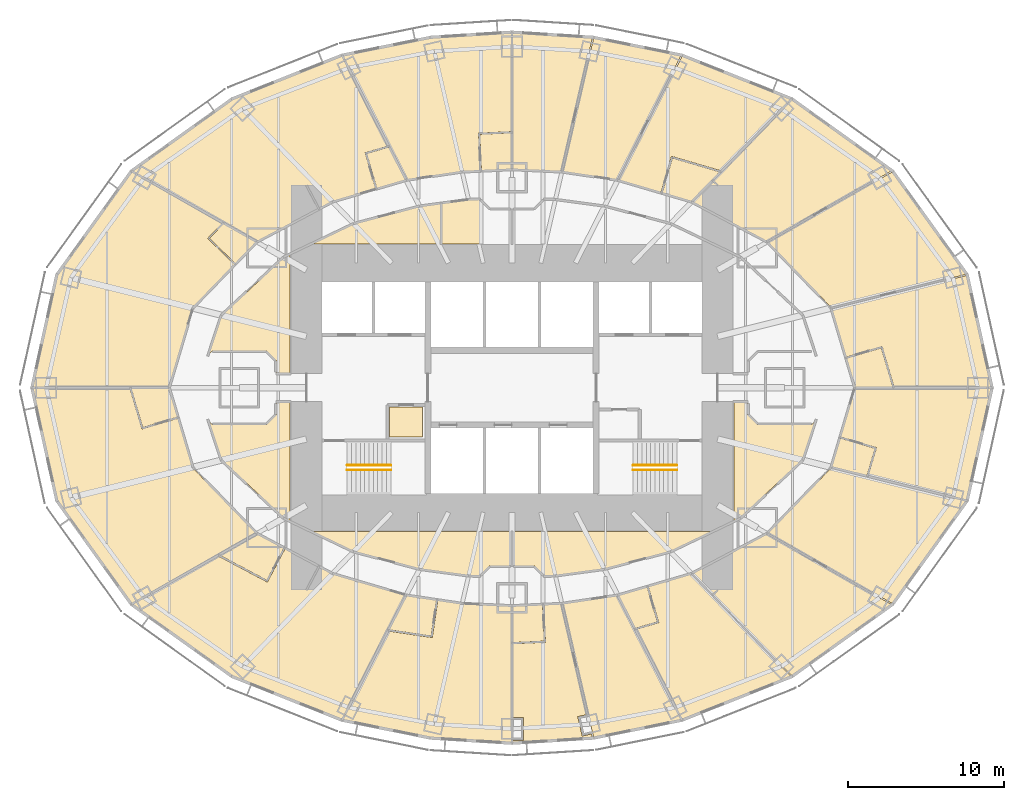
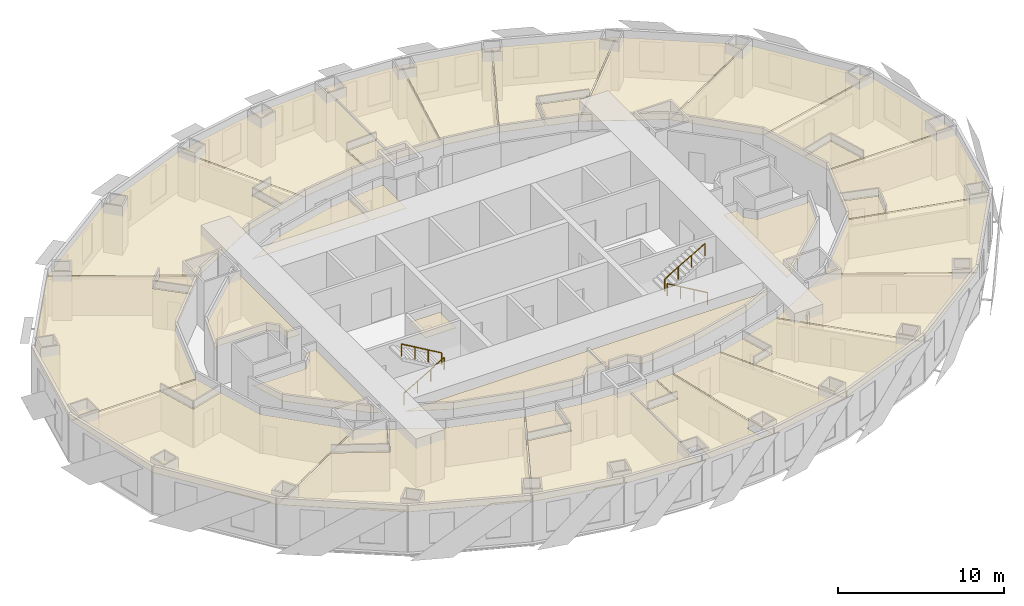
# One storey, part 15 of 15: 37 coverings, 4 railings.
"""IFC4 building model written with IfcOpenShell, lengths in metres."""

from ifc_helpers import new_model, si_unit, direction, frame, origin, origin_2d, place, context, subcontext, project, spatial, polyline, circle, outline, extrude, material, layer, layer_set, type_object, element, save


model = new_model("IFC4")

# Units and contexts
model_context = context("Model", 3, precision=1e-05, world=origin(), true_north=direction((0.0, 1.0)))
body_context = subcontext(model_context, "Body", "Model", "MODEL_VIEW")
ifc_project = project(units=[si_unit("LENGTHUNIT", "METRE"), si_unit("AREAUNIT", "SQUARE_METRE"), si_unit("VOLUMEUNIT", "CUBIC_METRE"), si_unit("PLANEANGLEUNIT", "RADIAN"), si_unit("MASSUNIT", "GRAM", prefix="KILO")], contexts=[model_context])

# Site, building, storey
site_placement = place(None, origin())
site = spatial("IfcSite", under=ifc_project, at=site_placement, CompositionType="ELEMENT")
building_placement = place(site_placement, origin())
building = spatial("IfcBuilding", under=site, at=building_placement, Name="Lantaw Convention Tower", CompositionType="ELEMENT")
storey_placement = place(building_placement, frame((0.0, 0.0, 73.0)))
storey = spatial("IfcBuildingStorey", under=building, at=storey_placement, Name="L16", CompositionType="ELEMENT", Elevation=73.0)

# Railings
ifc_material_1 = material(Name="Stainless steel", Category="steel")
railing_type = type_object("IfcRailingType", Name="Stair handrail", PredefinedType="HANDRAIL", material=ifc_material_1)
railing_1_placement = place(storey_placement, frame((-10.580078125, -5.280029296875, 0.16357421875)))
element("IfcRailing", 1, at=railing_1_placement, inside=storey, type_object=railing_type, Name="Stair handrail S1", PredefinedType="HANDRAIL", context=body_context, shape_type="SweptSolid", body=[
    extrude(circle(Radius=0.02392578125, at=origin_2d()), frame((0.0, 0.0, 0.8759765625), z_axis=(0.863360870873, 0.0, 0.504586966384), x_axis=(0.0, 1.0, 0.0)), (0.0, 0.0, 1.0), 3.2431640625),
    extrude(circle(Radius=0.02099609375, at=origin_2d()), origin(), (0.0, 0.0, 1.0), 0.851806640625),
    extrude(circle(Radius=0.02099609375, at=origin_2d()), frame((0.933349609375, 0.0, 0.54541015625)), (0.0, 0.0, 1.0), 0.851806640625),
    extrude(circle(Radius=0.02099609375, at=origin_2d()), frame((1.86669921875, 0.0, 1.091064453125)), (0.0, 0.0, 1.0), 0.851806640625),
    extrude(circle(Radius=0.02099609375, at=origin_2d()), frame((2.800048828125, 0.0, 1.636474609375)), (0.0, 0.0, 1.0), 0.851806640625),
])
for number, where, name in (
    (2, (-7.780029296875, -4.97998046875, 1.963623046875), "Stair handrail S1"),
    (3, (10.580078125, -5.280029296875, 0.16357421875), "Stair handrail S2"),
):
    element("IfcRailing", number, at=place(storey_placement, frame(where)), inside=storey, type_object=railing_type, Name=name, PredefinedType="HANDRAIL", context=body_context, shape_type="SweptSolid", body=[
        extrude(circle(Radius=0.02392578125, at=origin_2d()), frame((0.0, 0.0, 0.8759765625), z_axis=(-0.863360870873, 0.0, 0.504586966384), x_axis=(0.0, -1.0, 0.0)), (0.0, 0.0, 1.0), 3.2431640625),
        extrude(circle(Radius=0.02099609375, at=origin_2d()), origin(), (0.0, 0.0, 1.0), 0.851806640625),
        extrude(circle(Radius=0.02099609375, at=origin_2d()), frame((-0.933349609375, 0.0, 0.54541015625)), (0.0, 0.0, 1.0), 0.851806640625),
        extrude(circle(Radius=0.02099609375, at=origin_2d()), frame((-1.86669921875, 0.0, 1.091064453125)), (0.0, 0.0, 1.0), 0.851806640625),
        extrude(circle(Radius=0.02099609375, at=origin_2d()), frame((-2.800048828125, 0.0, 1.636474609375)), (0.0, 0.0, 1.0), 0.851806640625),
    ])
railing_2_placement = place(storey_placement, frame((7.780029296875, -4.97998046875, 1.963623046875)))
element("IfcRailing", 4, at=railing_2_placement, inside=storey, type_object=railing_type, Name="Stair handrail S2", PredefinedType="HANDRAIL", context=body_context, shape_type="SweptSolid", body=[
    extrude(circle(Radius=0.02392578125, at=origin_2d()), frame((0.0, 0.0, 0.8759765625), z_axis=(0.863360870873, 0.0, 0.504586966384), x_axis=(0.0, 1.0, 0.0)), (0.0, 0.0, 1.0), 3.2431640625),
    extrude(circle(Radius=0.02099609375, at=origin_2d()), origin(), (0.0, 0.0, 1.0), 0.851806640625),
    extrude(circle(Radius=0.02099609375, at=origin_2d()), frame((0.933349609375, 0.0, 0.54541015625)), (0.0, 0.0, 1.0), 0.851806640625),
    extrude(circle(Radius=0.02099609375, at=origin_2d()), frame((1.86669921875, 0.0, 1.091064453125)), (0.0, 0.0, 1.0), 0.851806640625),
    extrude(circle(Radius=0.02099609375, at=origin_2d()), frame((2.800048828125, 0.0, 1.636474609375)), (0.0, 0.0, 1.0), 0.851806640625),
])

# Coverings
ifc_material_2 = material(Name="Gypsum board on steel suspension grid", Category="steel")
ifc_layer = layer(ifc_material_2, 0.02001953125)
ifc_layer_set = layer_set([ifc_layer], Name="Suspended ceiling")
covering_type = type_object("IfcCoveringType", Name="Suspended ceiling", PredefinedType="CEILING", material=ifc_layer_set)
covering_1_placement = place(storey_placement, frame((0.0, 0.0, 2.85009765625)))
element("IfcCovering", 5, at=covering_1_placement, inside=storey, type_object=covering_type, Name="Housekeeping pantry ceiling", PredefinedType="CEILING", context=body_context, shape_type="SweptSolid", body=[
    extrude(outline(polyline([(-7.860107421875, -3.159912109375), (-5.739990234375, -3.159912109375), (-5.739990234375, -1.239990234375), (-7.860107421875, -1.239990234375), (-7.860107421875, -3.159912109375)])), origin(), (0.0, 0.0, 1.0), 0.02001953125),
])
covering_2_placement = place(storey_placement, frame((0.0, 0.0, 2.85009765625)))
element("IfcCovering", 6, at=covering_2_placement, inside=storey, type_object=covering_type, Name="Housekeeping room ceiling", PredefinedType="CEILING", context=body_context, shape_type="SweptSolid", body=[
    extrude(outline(polyline([(-14.239990234375, 8.5478515625), (-14.650390625, 8.351318359375), (-18.63671875, 4.633056640625), (-19.449951171875, 2.15625), (-19.2412109375, 2.364990234375), (-15.7587890625, 2.364990234375), (-15.135009765625, 1.7412109375), (-15.135009765625, 0.93994140625), (-14.239990234375, 0.93994140625), (-14.239990234375, 8.5478515625)])), origin(), (0.0, 0.0, 1.0), 0.02001953125),
])
covering_3_placement = place(storey_placement, frame((0.0, 0.0, 2.85009765625)))
element("IfcCovering", 7, at=covering_3_placement, inside=storey, type_object=covering_type, Name="Accessible WC ceiling", PredefinedType="CEILING", context=body_context, shape_type="SweptSolid", body=[
    extrude(outline(polyline([(-2.06494140625, 12.073486328125), (-2.7861328125, 12.043212890625), (-4.510009765625, 11.81201171875), (-4.510009765625, 9.239990234375), (-2.014892578125, 9.239990234375), (-2.014892578125, 12.0087890625), (-2.06494140625, 12.058837890625), (-2.06494140625, 12.073486328125)])), origin(), (0.0, 0.0, 1.0), 0.02001953125),
])
covering_4_placement = place(storey_placement, frame((0.0, 0.0, 2.85009765625)))
element("IfcCovering", 8, at=covering_4_placement, inside=storey, type_object=covering_type, Name="Housekeeping room ceiling", PredefinedType="CEILING", context=body_context, shape_type="SweptSolid", body=[
    extrude(outline(polyline([(-12.795166015625, 9.239990234375), (-4.60009765625, 9.239990234375), (-4.60009765625, 11.7998046875), (-5.933349609375, 11.62109375), (-10.1630859375, 10.500732421875), (-12.795166015625, 9.239990234375)])), origin(), (0.0, 0.0, 1.0), 0.02001953125),
])
covering_5_placement = place(storey_placement, frame((0.0, 0.0, 2.85009765625)))
element("IfcCovering", 9, at=covering_5_placement, inside=storey, type_object=covering_type, Name="Staff room ceiling", PredefinedType="CEILING", context=body_context, shape_type="SweptSolid", body=[
    extrude(outline(polyline([(-14.239990234375, -0.93994140625), (-15.135009765625, -0.93994140625), (-15.135009765625, -1.7412109375), (-15.7587890625, -2.364990234375), (-19.2412109375, -2.364990234375), (-19.449951171875, -2.15625), (-18.63671875, -4.633056640625), (-14.650390625, -8.351318359375), (-14.239990234375, -8.5478515625), (-14.239990234375, -0.93994140625)])), origin(), (0.0, 0.0, 1.0), 0.02001953125),
])
covering_6_placement = place(storey_placement, frame((0.0, 0.0, 2.85009765625)))
element("IfcCovering", 10, at=covering_6_placement, inside=storey, type_object=covering_type, Name="Staff room ceiling", PredefinedType="CEILING", context=body_context, shape_type="SweptSolid", body=[
    extrude(outline(polyline([(-5.933349609375, -11.62109375), (-2.7861328125, -12.043212890625), (-2.06494140625, -12.073486328125), (-2.06494140625, -12.058837890625), (-1.441162109375, -11.43505859375), (-0.0400390625, -11.43505859375), (-0.0400390625, -9.239990234375), (-12.795166015625, -9.239990234375), (-10.1630859375, -10.500732421875), (-5.933349609375, -11.62109375)])), origin(), (0.0, 0.0, 1.0), 0.02001953125),
])
covering_7_placement = place(storey_placement, frame((0.0, 0.0, 2.85009765625)))
element("IfcCovering", 11, at=covering_7_placement, inside=storey, type_object=covering_type, Name="Room service pantry ceiling", PredefinedType="CEILING", context=body_context, shape_type="SweptSolid", body=[
    extrude(outline(polyline([(14.239990234375, -8.5478515625), (14.650390625, -8.351318359375), (18.63671875, -4.633056640625), (19.449951171875, -2.15625), (19.2412109375, -2.364990234375), (15.7587890625, -2.364990234375), (15.135009765625, -1.7412109375), (15.135009765625, -0.93994140625), (14.239990234375, -0.93994140625), (14.239990234375, -8.5478515625)])), origin(), (0.0, 0.0, 1.0), 0.02001953125),
])
covering_8_placement = place(storey_placement, frame((0.0, 0.0, 2.85009765625)))
element("IfcCovering", 12, at=covering_8_placement, inside=storey, type_object=covering_type, Name="Room service pantry ceiling", PredefinedType="CEILING", context=body_context, shape_type="SweptSolid", body=[
    extrude(outline(polyline([(2.06494140625, -12.073486328125), (2.7861328125, -12.043212890625), (5.933349609375, -11.62109375), (10.1630859375, -10.500732421875), (12.795166015625, -9.239990234375), (0.0400390625, -9.239990234375), (0.0400390625, -11.43505859375), (1.441162109375, -11.43505859375), (2.06494140625, -12.058837890625), (2.06494140625, -12.073486328125)])), origin(), (0.0, 0.0, 1.0), 0.02001953125),
])
covering_9_placement = place(storey_placement, frame((0.0, 0.0, 2.85009765625)))
element("IfcCovering", 13, at=covering_9_placement, inside=storey, type_object=covering_type, Name="Suite bathroom ceiling", PredefinedType="CEILING", context=body_context, shape_type="SweptSolid", body=[
    extrude(outline(polyline([(22.02978515625, 0.0400390625), (24.449951171875, 0.0400390625), (23.70458984375, 2.550537109375), (21.48046875, 1.890380859375), (22.02978515625, 0.0400390625)])), origin(), (0.0, 0.0, 1.0), 0.02001953125),
])
covering_10_placement = place(storey_placement, frame((0.0, 0.0, 2.85009765625)))
element("IfcCovering", 14, at=covering_10_placement, inside=storey, type_object=covering_type, Name="Suite bedroom ceiling", PredefinedType="CEILING", context=body_context, shape_type="SweptSolid", body=[
    extrude(outline(polyline([(20.5341796875, 5.078369140625), (21.457763671875, 1.967041015625), (23.758544921875, 2.650146484375), (24.533447265625, 0.0400390625), (30.77099609375, 0.0400390625), (29.191650390625, 7.205078125), (20.5341796875, 5.078369140625)])), origin(), (0.0, 0.0, 1.0), 0.02001953125),
])
covering_11_placement = place(storey_placement, frame((0.0, 0.0, 2.85009765625)))
element("IfcCovering", 15, at=covering_11_placement, inside=storey, type_object=covering_type, Name="Suite living room ceiling", PredefinedType="CEILING", context=body_context, shape_type="SweptSolid", body=[
    extrude(outline(polyline([(20.49658203125, 5.151611328125), (29.155029296875, 7.2783203125), (24.423095703125, 13.8564453125), (16.433837890625, 9.344482421875), (20.49658203125, 5.151611328125)])), origin(), (0.0, 0.0, 1.0), 0.02001953125),
])
covering_12_placement = place(storey_placement, frame((0.0, 0.0, 2.85009765625)))
element("IfcCovering", 16, at=covering_12_placement, inside=storey, type_object=covering_type, Name="Suite kitchenette and dining room ceiling", PredefinedType="CEILING", context=body_context, shape_type="SweptSolid", body=[
    extrude(outline(polyline([(16.368408203125, 9.3994140625), (24.3603515625, 13.912841796875), (17.97509765625, 18.4892578125), (11.58447265625, 11.93798828125), (16.368408203125, 9.3994140625)])), origin(), (0.0, 0.0, 1.0), 0.02001953125),
])
covering_13_placement = place(storey_placement, frame((0.0, 0.0, 2.85009765625)))
element("IfcCovering", 17, at=covering_13_placement, inside=storey, type_object=covering_type, Name="Suite bathroom ceiling", PredefinedType="CEILING", context=body_context, shape_type="SweptSolid", body=[
    extrude(outline(polyline([(11.506591796875, 11.972900390625), (13.32568359375, 13.856689453125), (10.302734375, 14.744384765625), (9.649169921875, 12.518310546875), (11.506591796875, 11.972900390625)])), origin(), (0.0, 0.0, 1.0), 0.02001953125),
])
covering_14_placement = place(storey_placement, frame((0.0, 0.0, 2.85009765625)))
element("IfcCovering", 18, at=covering_14_placement, inside=storey, type_object=covering_type, Name="Suite bedroom ceiling", PredefinedType="CEILING", context=body_context, shape_type="SweptSolid", body=[
    extrude(outline(polyline([(10.930908203125, 21.294921875), (6.84326171875, 13.34228515625), (9.560791015625, 12.544189453125), (10.240478515625, 14.858642578125), (13.412841796875, 13.927001953125), (17.89990234375, 18.526611328125), (10.930908203125, 21.294921875)])), origin(), (0.0, 0.0, 1.0), 0.02001953125),
])
covering_15_placement = place(storey_placement, frame((0.0, 0.0, 2.85009765625)))
element("IfcCovering", 19, at=covering_15_placement, inside=storey, type_object=covering_type, Name="Suite living room ceiling", PredefinedType="CEILING", context=body_context, shape_type="SweptSolid", body=[
    extrude(outline(polyline([(6.76318359375, 13.361328125), (10.852294921875, 21.31689453125), (5.240966796875, 22.448974609375), (3.24658203125, 13.884521484375), (6.76318359375, 13.361328125)])), origin(), (0.0, 0.0, 1.0), 0.02001953125),
])
covering_16_placement = place(storey_placement, frame((0.0, 0.0, 2.85009765625)))
element("IfcCovering", 20, at=covering_16_placement, inside=storey, type_object=covering_type, Name="Suite kitchenette and dining room ceiling", PredefinedType="CEILING", context=body_context, shape_type="SweptSolid", body=[
    extrude(outline(polyline([(3.16650390625, 13.892822265625), (5.1611328125, 22.458984375), (0.0400390625, 22.781982421875), (0.0400390625, 14.0380859375), (3.16650390625, 13.892822265625)])), origin(), (0.0, 0.0, 1.0), 0.02001953125),
])
covering_17_placement = place(storey_placement, frame((0.0, 0.0, 2.85009765625)))
element("IfcCovering", 21, at=covering_17_placement, inside=storey, type_object=covering_type, Name="Junior suite bathroom ceiling", PredefinedType="CEILING", context=body_context, shape_type="SweptSolid", body=[
    extrude(outline(polyline([(-0.0400390625, 14.0380859375), (-0.0400390625, 16.360595703125), (-2.0673828125, 16.266357421875), (-1.959716796875, 13.948974609375), (-0.0400390625, 14.0380859375)])), origin(), (0.0, 0.0, 1.0), 0.02001953125),
])
covering_18_placement = place(storey_placement, frame((0.0, 0.0, 2.85009765625)))
element("IfcCovering", 22, at=covering_18_placement, inside=storey, type_object=covering_type, Name="Junior suite ceiling", PredefinedType="CEILING", context=body_context, shape_type="SweptSolid", body=[
    extrude(outline(polyline([(-3.20166015625, 13.89111328125), (-2.03955078125, 13.9453125), (-2.151123046875, 16.342529296875), (-0.0400390625, 16.440673828125), (-0.0400390625, 22.781982421875), (-5.20556640625, 22.456298828125), (-10.852294921875, 21.31689453125), (-6.76318359375, 13.361328125), (-3.20166015625, 13.89111328125)])), origin(), (0.0, 0.0, 1.0), 0.02001953125),
])
covering_19_placement = place(storey_placement, frame((0.0, 0.0, 2.85009765625)))
element("IfcCovering", 23, at=covering_19_placement, inside=storey, type_object=covering_type, Name="Junior suite bathroom ceiling", PredefinedType="CEILING", context=body_context, shape_type="SweptSolid", body=[
    extrude(outline(polyline([(-6.843017578125, 13.34228515625), (-7.914794921875, 15.445556640625), (-9.3310546875, 15.02978515625), (-8.677490234375, 12.8037109375), (-6.843017578125, 13.34228515625)])), origin(), (0.0, 0.0, 1.0), 0.02001953125),
])
covering_20_placement = place(storey_placement, frame((0.0, 0.0, 2.85009765625)))
element("IfcCovering", 24, at=covering_20_placement, inside=storey, type_object=covering_type, Name="Junior suite ceiling", PredefinedType="CEILING", context=body_context, shape_type="SweptSolid", body=[
    extrude(outline(polyline([(-11.53369140625, 11.965087890625), (-8.754150390625, 12.781005859375), (-9.430419921875, 15.083984375), (-7.96044921875, 15.515625), (-10.930908203125, 21.294921875), (-17.951171875, 18.50634765625), (-24.3603515625, 13.912841796875), (-16.368408203125, 9.3994140625), (-11.53369140625, 11.965087890625)])), origin(), (0.0, 0.0, 1.0), 0.02001953125),
])
covering_21_placement = place(storey_placement, frame((0.0, 0.0, 2.85009765625)))
element("IfcCovering", 25, at=covering_21_placement, inside=storey, type_object=covering_type, Name="Junior suite bathroom ceiling", PredefinedType="CEILING", context=body_context, shape_type="SweptSolid", body=[
    extrude(outline(polyline([(-16.43359375, 9.344482421875), (-18.512939453125, 10.53271484375), (-19.427734375, 9.58837890625), (-17.76171875, 7.97412109375), (-16.43359375, 9.344482421875)])), origin(), (0.0, 0.0, 1.0), 0.02001953125),
])
covering_22_placement = place(storey_placement, frame((0.0, 0.0, 2.85009765625)))
element("IfcCovering", 26, at=covering_22_placement, inside=storey, type_object=covering_type, Name="Junior suite ceiling", PredefinedType="CEILING", context=body_context, shape_type="SweptSolid", body=[
    extrude(outline(polyline([(-20.51953125, 5.1279296875), (-17.8173828125, 7.91650390625), (-19.541015625, 9.586669921875), (-18.59375, 10.564208984375), (-24.423095703125, 13.8564453125), (-29.184814453125, 7.237060546875), (-30.77099609375, 0.0400390625), (-22.02978515625, 0.0400390625), (-20.51953125, 5.1279296875)])), origin(), (0.0, 0.0, 1.0), 0.02001953125),
])
covering_23_placement = place(storey_placement, frame((0.0, 0.0, 2.85009765625)))
element("IfcCovering", 27, at=covering_23_placement, inside=storey, type_object=covering_type, Name="Junior suite bathroom ceiling", PredefinedType="CEILING", context=body_context, shape_type="SweptSolid", body=[
    extrude(outline(polyline([(-22.02978515625, -0.0400390625), (-24.449951171875, -0.0400390625), (-23.70458984375, -2.550537109375), (-21.48046875, -1.890380859375), (-22.02978515625, -0.0400390625)])), origin(), (0.0, 0.0, 1.0), 0.02001953125),
])
covering_24_placement = place(storey_placement, frame((0.0, 0.0, 2.85009765625)))
element("IfcCovering", 28, at=covering_24_placement, inside=storey, type_object=covering_type, Name="Junior suite ceiling", PredefinedType="CEILING", context=body_context, shape_type="SweptSolid", body=[
    extrude(outline(polyline([(-21.457763671875, -1.967041015625), (-23.758544921875, -2.650146484375), (-24.533447265625, -0.0400390625), (-30.77099609375, -0.0400390625), (-29.184814453125, -7.237060546875), (-24.423095703125, -13.8564453125), (-16.433837890625, -9.344482421875), (-20.51953125, -5.1279296875), (-21.457763671875, -1.967041015625)])), origin(), (0.0, 0.0, 1.0), 0.02001953125),
])
covering_25_placement = place(storey_placement, frame((0.0, 0.0, 2.85009765625)))
element("IfcCovering", 29, at=covering_25_placement, inside=storey, type_object=covering_type, Name="Junior suite bathroom ceiling", PredefinedType="CEILING", context=body_context, shape_type="SweptSolid", body=[
    extrude(outline(polyline([(-16.368408203125, -9.3994140625), (-18.75146484375, -10.76123046875), (-15.743896484375, -12.357177734375), (-14.656494140625, -10.307861328125), (-16.368408203125, -9.3994140625)])), origin(), (0.0, 0.0, 1.0), 0.02001953125),
])
covering_26_placement = place(storey_placement, frame((0.0, 0.0, 2.85009765625)))
element("IfcCovering", 30, at=covering_26_placement, inside=storey, type_object=covering_type, Name="Junior suite ceiling", PredefinedType="CEILING", context=body_context, shape_type="SweptSolid", body=[
    extrude(outline(polyline([(-18.861328125, -10.80712890625), (-24.3603515625, -13.912841796875), (-17.951171875, -18.50634765625), (-10.930908203125, -21.294921875), (-6.84326171875, -13.34228515625), (-11.53369140625, -11.965087890625), (-14.5751953125, -10.35107421875), (-15.705810546875, -12.4814453125), (-18.861328125, -10.80712890625)])), origin(), (0.0, 0.0, 1.0), 0.02001953125),
])
covering_27_placement = place(storey_placement, frame((0.0, 0.0, 2.85009765625)))
element("IfcCovering", 31, at=covering_27_placement, inside=storey, type_object=covering_type, Name="Junior suite bathroom ceiling", PredefinedType="CEILING", context=body_context, shape_type="SweptSolid", body=[
    extrude(outline(polyline([(-6.762939453125, -13.361328125), (-7.873779296875, -15.54150390625), (-5.1943359375, -15.940185546875), (-4.852783203125, -13.6455078125), (-6.762939453125, -13.361328125)])), origin(), (0.0, 0.0, 1.0), 0.02001953125),
])
covering_28_placement = place(storey_placement, frame((0.0, 0.0, 2.85009765625)))
element("IfcCovering", 32, at=covering_28_placement, inside=storey, type_object=covering_type, Name="Junior suite ceiling", PredefinedType="CEILING", context=body_context, shape_type="SweptSolid", body=[
    extrude(outline(polyline([(-3.20166015625, -13.89111328125), (-4.76171875, -13.658935546875), (-5.11669921875, -16.044677734375), (-7.927490234375, -15.62646484375), (-10.852294921875, -21.31689453125), (-5.20556640625, -22.456298828125), (-0.0400390625, -22.781982421875), (-0.0400390625, -14.0380859375), (-3.20166015625, -13.89111328125)])), origin(), (0.0, 0.0, 1.0), 0.02001953125),
])
covering_29_placement = place(storey_placement, frame((0.0, 0.0, 2.85009765625)))
element("IfcCovering", 33, at=covering_29_placement, inside=storey, type_object=covering_type, Name="Suite bathroom ceiling", PredefinedType="CEILING", context=body_context, shape_type="SweptSolid", body=[
    extrude(outline(polyline([(0.0400390625, -14.0380859375), (0.0400390625, -16.360595703125), (2.0673828125, -16.266357421875), (1.959716796875, -13.948974609375), (0.0400390625, -14.0380859375)])), origin(), (0.0, 0.0, 1.0), 0.02001953125),
])
covering_30_placement = place(storey_placement, frame((0.0, 0.0, 2.85009765625)))
element("IfcCovering", 34, at=covering_30_placement, inside=storey, type_object=covering_type, Name="Suite bedroom ceiling", PredefinedType="CEILING", context=body_context, shape_type="SweptSolid", body=[
    extrude(outline(polyline([(2.03955078125, -13.9453125), (2.151123046875, -16.342529296875), (0.0400390625, -16.440673828125), (0.0400390625, -21.159912109375), (0.739990234375, -21.159912109375), (0.739990234375, -22.639892578125), (0.0400390625, -22.639892578125), (0.0400390625, -22.781982421875), (5.1611328125, -22.458984375), (5.107177734375, -22.22705078125), (4.506591796875, -22.365478515625), (4.21875, -21.118408203125), (4.81689453125, -20.980224609375), (3.16650390625, -13.892822265625), (2.03955078125, -13.9453125)])), origin(), (0.0, 0.0, 1.0), 0.02001953125),
])
covering_31_placement = place(storey_placement, frame((0.0, 0.0, 2.85009765625)))
element("IfcCovering", 35, at=covering_31_placement, inside=storey, type_object=covering_type, Name="Suite living room ceiling", PredefinedType="CEILING", context=body_context, shape_type="SweptSolid", body=[
    extrude(outline(polyline([(3.24658203125, -13.884521484375), (5.240966796875, -22.448974609375), (10.852294921875, -21.31689453125), (6.76318359375, -13.361328125), (3.24658203125, -13.884521484375)])), origin(), (0.0, 0.0, 1.0), 0.02001953125),
])
covering_32_placement = place(storey_placement, frame((0.0, 0.0, 2.85009765625)))
element("IfcCovering", 36, at=covering_32_placement, inside=storey, type_object=covering_type, Name="Suite bathroom ceiling", PredefinedType="CEILING", context=body_context, shape_type="SweptSolid", body=[
    extrude(outline(polyline([(6.843017578125, -13.34228515625), (7.914794921875, -15.445556640625), (9.3310546875, -15.02978515625), (8.677490234375, -12.8037109375), (6.843017578125, -13.34228515625)])), origin(), (0.0, 0.0, 1.0), 0.02001953125),
])
covering_33_placement = place(storey_placement, frame((0.0, 0.0, 2.85009765625)))
element("IfcCovering", 37, at=covering_33_placement, inside=storey, type_object=covering_type, Name="Suite bedroom ceiling", PredefinedType="CEILING", context=body_context, shape_type="SweptSolid", body=[
    extrude(outline(polyline([(11.506591796875, -11.972900390625), (8.754150390625, -12.781005859375), (9.430419921875, -15.083984375), (7.96044921875, -15.515625), (10.930908203125, -21.294921875), (17.89990234375, -18.526611328125), (11.506591796875, -11.972900390625)])), origin(), (0.0, 0.0, 1.0), 0.02001953125),
])
covering_34_placement = place(storey_placement, frame((0.0, 0.0, 2.85009765625)))
element("IfcCovering", 38, at=covering_34_placement, inside=storey, type_object=covering_type, Name="Suite living room ceiling", PredefinedType="CEILING", context=body_context, shape_type="SweptSolid", body=[
    extrude(outline(polyline([(11.58447265625, -11.93798828125), (17.97509765625, -18.4892578125), (24.3603515625, -13.912841796875), (16.368408203125, -9.3994140625), (11.58447265625, -11.93798828125)])), origin(), (0.0, 0.0, 1.0), 0.02001953125),
])
covering_35_placement = place(storey_placement, frame((0.0, 0.0, 2.85009765625)))
element("IfcCovering", 39, at=covering_35_placement, inside=storey, type_object=covering_type, Name="Suite kitchenette and dining room ceiling", PredefinedType="CEILING", context=body_context, shape_type="SweptSolid", body=[
    extrude(outline(polyline([(16.433837890625, -9.344482421875), (24.423095703125, -13.8564453125), (29.155029296875, -7.2783203125), (20.49658203125, -5.151611328125), (16.433837890625, -9.344482421875)])), origin(), (0.0, 0.0, 1.0), 0.02001953125),
])
covering_36_placement = place(storey_placement, frame((0.0, 0.0, 2.85009765625)))
element("IfcCovering", 40, at=covering_36_placement, inside=storey, type_object=covering_type, Name="Guest bathroom ceiling", PredefinedType="CEILING", context=body_context, shape_type="SweptSolid", body=[
    extrude(outline(polyline([(20.5341796875, -5.07861328125), (22.787353515625, -5.640380859375), (23.30419921875, -3.89990234375), (21.080078125, -3.23974609375), (20.5341796875, -5.07861328125)])), origin(), (0.0, 0.0, 1.0), 0.02001953125),
])
covering_37_placement = place(storey_placement, frame((0.0, 0.0, 2.85009765625)))
element("IfcCovering", 41, at=covering_37_placement, inside=storey, type_object=covering_type, Name="Guest room ceiling", PredefinedType="CEILING", context=body_context, shape_type="SweptSolid", body=[
    extrude(outline(polyline([(22.02978515625, -0.0400390625), (21.102783203125, -3.162841796875), (23.403564453125, -3.845947265625), (22.867431640625, -5.651611328125), (29.191650390625, -7.205078125), (30.77099609375, -0.0400390625), (22.02978515625, -0.0400390625)])), origin(), (0.0, 0.0, 1.0), 0.02001953125),
])

save(model, "model.ifc")
